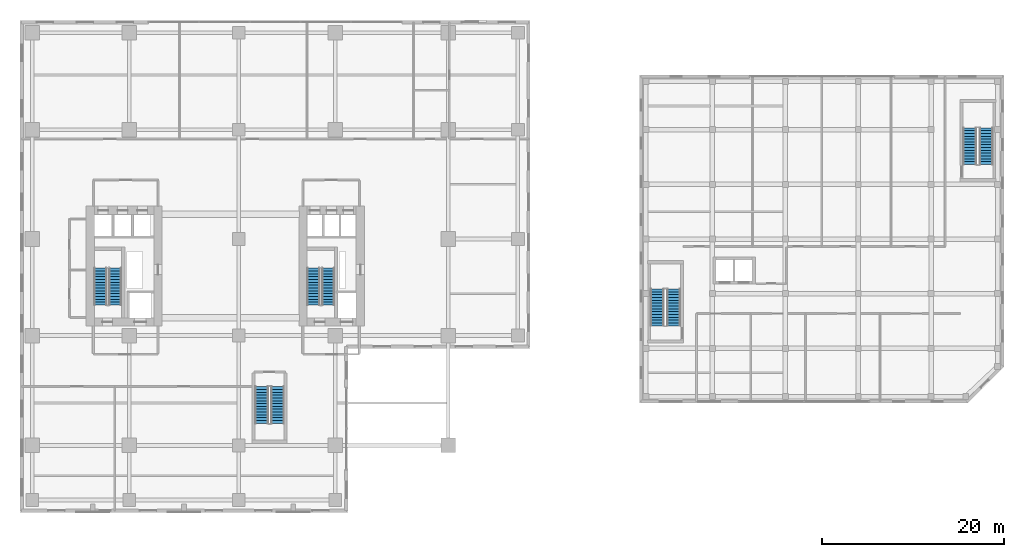
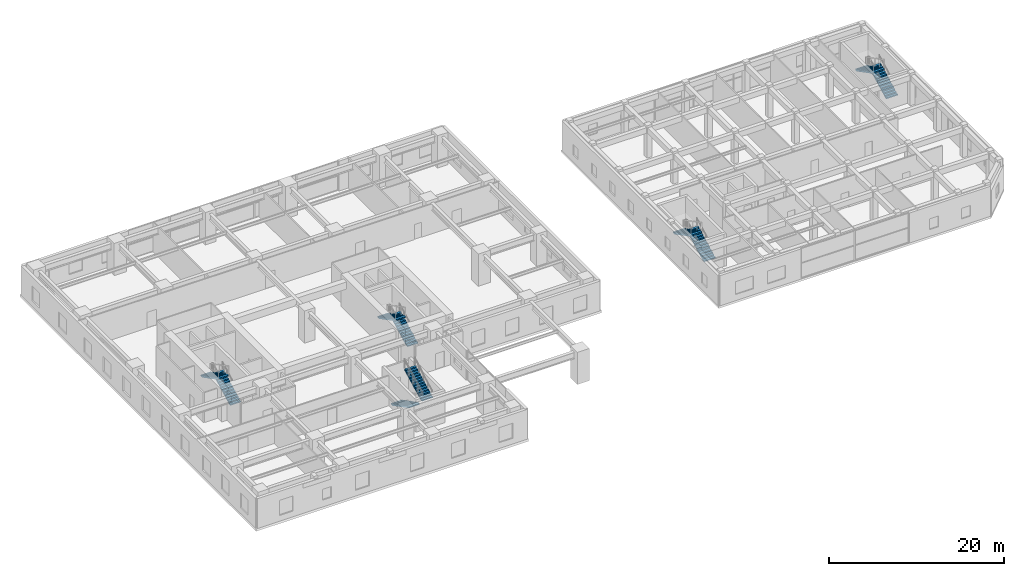
# One storey, part 23 of 26: 10 stair flights, 5 elements without a shape of their own.
"""IFC4 building model written with IfcOpenShell, lengths in metres."""

from ifc_helpers import new_model, si_unit, direction, frame, origin, place, context, subcontext, project, spatial, polyline, outline, extrude, source, transform, mapped, material, type_object, element, aggregate, save


model = new_model("IFC4")

# Units and contexts
model_context = context("Model", 3, precision=1e-05, world=origin(), true_north=direction((0.0, 1.0)))
body_context = subcontext(model_context, "Body", "Model", "MODEL_VIEW")
ifc_project = project(units=[si_unit("LENGTHUNIT", "METRE"), si_unit("AREAUNIT", "SQUARE_METRE"), si_unit("VOLUMEUNIT", "CUBIC_METRE"), si_unit("PLANEANGLEUNIT", "RADIAN"), si_unit("MASSUNIT", "GRAM", prefix="KILO")], contexts=[model_context])

# Site, building, storey
site_placement = place(None, origin())
site = spatial("IfcSite", under=ifc_project, at=site_placement, CompositionType="ELEMENT")
building_placement = place(site_placement, origin())
building = spatial("IfcBuilding", under=site, at=building_placement, Name="Khoralis Quay Care Tower", CompositionType="ELEMENT")
storey_placement = place(building_placement, frame((0.0, 0.0, 4.5)))
storey = spatial("IfcBuildingStorey", under=building, at=storey_placement, Name="L01", CompositionType="ELEMENT", Elevation=4.5)

# Stair, stair flights
ifc_material = material(Name="Precast concrete C45/55", Category="concrete")
stair_type_1 = type_object("IfcStairType", Name="ST-TWR-DOGLEG-1400", PredefinedType="HALF_TURN_STAIR", material=ifc_material)
stair_1_placement = place(storey_placement, origin())
stair_1 = element("IfcStair", 1, at=stair_1_placement, inside=storey, type_object=stair_type_1, Name="L01 West Core Exit Stair ST-T1", PredefinedType="HALF_TURN_STAIR")
stair_flight_type_1 = type_object("IfcStairFlightType", Name="SF-TWR-1400", PredefinedType="STRAIGHT", material=ifc_material)
shared_shape_1 = source(origin(), body_context, "Body", "SweptSolid", [
    extrude(outline(polyline([(0.0, 0.0), (0.0, 0.16064453125), (0.31005859375, 0.16064453125), (0.31005859375, 0.321533203125), (0.6201171875, 0.321533203125), (0.6201171875, 0.482177734375), (0.929931640625, 0.482177734375), (0.929931640625, 0.642822265625), (1.239990234375, 0.642822265625), (1.239990234375, 0.803466796875), (1.550048828125, 0.803466796875), (1.550048828125, 0.96435546875), (1.860107421875, 0.96435546875), (1.860107421875, 1.125), (2.169921875, 1.125), (2.169921875, 1.28564453125), (2.47998046875, 1.28564453125), (2.47998046875, 1.446533203125), (2.7900390625, 1.446533203125), (2.7900390625, 1.607177734375), (3.10009765625, 1.607177734375), (3.10009765625, 1.767822265625), (3.409912109375, 1.767822265625), (3.409912109375, 1.928466796875), (3.719970703125, 1.928466796875), (3.719970703125, 2.08935546875), (4.030029296875, 2.08935546875), (4.030029296875, 2.25), (4.030029296875, 1.92041015625), (0.32568359375, 0.0), (0.0, 0.0)])), frame((0.0, 0.68994140625, 0.0), z_axis=(0.0, -1.0, 0.0), x_axis=(1.0, 0.0, 0.0)), (0.0, 0.0, 1.0), 1.3798828125),
])
stair_flight_1_placement = place(storey_placement, frame((10.4599609375, 16.77001953125, 0.0), z_axis=(0.0, 0.0, 1.0), x_axis=(0.0, 1.0, 0.0)))
stair_flight_1 = element("IfcStairFlight", 2, at=stair_flight_1_placement, type_object=stair_flight_type_1, Name="ST-T1 flight 1", NumberOfRisers=14, NumberOfTreads=13, PredefinedType="STRAIGHT", RiserHeight=0.160714286, TreadLength=0.31, context=body_context, shape_type="MappedRepresentation", body=[
    mapped(shared_shape_1, transform((0.0, 0.0, 0.0), scale=1.0)),
])
stair_flight_2_placement = place(storey_placement, frame((8.840087890625, 20.800048828125, 2.25), z_axis=(0.0, 0.0, 1.0), x_axis=(0.0, -1.0, 0.0)))
stair_flight_2 = element("IfcStairFlight", 3, at=stair_flight_2_placement, type_object=stair_flight_type_1, Name="ST-T1 flight 2", NumberOfRisers=14, NumberOfTreads=13, PredefinedType="STRAIGHT", RiserHeight=0.160714286, TreadLength=0.31, context=body_context, shape_type="MappedRepresentation", body=[
    mapped(shared_shape_1, transform((0.0, 0.0, 0.0), scale=1.0)),
])
aggregate(stair_1, [stair_flight_1, stair_flight_2])

stair_2_placement = place(storey_placement, origin())
stair_2 = element("IfcStair", 4, at=stair_2_placement, inside=storey, type_object=stair_type_1, Name="L01 East Core Exit Stair ST-T2", PredefinedType="HALF_TURN_STAIR")
stair_flight_3_placement = place(storey_placement, frame((33.830078125, 16.77001953125, 0.0), z_axis=(0.0, 0.0, 1.0), x_axis=(0.0, 1.0, 0.0)))
stair_flight_3 = element("IfcStairFlight", 5, at=stair_flight_3_placement, type_object=stair_flight_type_1, Name="ST-T2 flight 1", NumberOfRisers=14, NumberOfTreads=13, PredefinedType="STRAIGHT", RiserHeight=0.160714286, TreadLength=0.31, context=body_context, shape_type="MappedRepresentation", body=[
    mapped(shared_shape_1, transform((0.0, 0.0, 0.0), scale=1.0)),
])
stair_flight_4_placement = place(storey_placement, frame((32.2099609375, 20.800048828125, 2.25), z_axis=(0.0, 0.0, 1.0), x_axis=(0.0, -1.0, 0.0)))
stair_flight_4 = element("IfcStairFlight", 6, at=stair_flight_4_placement, type_object=stair_flight_type_1, Name="ST-T2 flight 2", NumberOfRisers=14, NumberOfTreads=13, PredefinedType="STRAIGHT", RiserHeight=0.160714286, TreadLength=0.31, context=body_context, shape_type="MappedRepresentation", body=[
    mapped(shared_shape_1, transform((0.0, 0.0, 0.0), scale=1.0)),
])
aggregate(stair_2, [stair_flight_3, stair_flight_4])

stair_type_2 = type_object("IfcStairType", Name="ST-POD-DOGLEG-1500", PredefinedType="HALF_TURN_STAIR", material=ifc_material)
stair_3_placement = place(storey_placement, origin())
stair_3 = element("IfcStair", 7, at=stair_3_placement, inside=storey, type_object=stair_type_2, Name="L01 Podium Clinical Stair ST-P1", PredefinedType="HALF_TURN_STAIR")
stair_flight_type_2 = type_object("IfcStairFlightType", Name="SF-POD-1500", PredefinedType="STRAIGHT", material=ifc_material)
shared_shape_2 = source(origin(), body_context, "Body", "SweptSolid", [
    extrude(outline(polyline([(0.0, 0.0), (0.0, 0.16064453125), (0.31005859375, 0.16064453125), (0.31005859375, 0.321533203125), (0.6201171875, 0.321533203125), (0.6201171875, 0.482177734375), (0.929931640625, 0.482177734375), (0.929931640625, 0.642822265625), (1.239990234375, 0.642822265625), (1.239990234375, 0.803466796875), (1.550048828125, 0.803466796875), (1.550048828125, 0.96435546875), (1.860107421875, 0.96435546875), (1.860107421875, 1.125), (2.169921875, 1.125), (2.169921875, 1.28564453125), (2.47998046875, 1.28564453125), (2.47998046875, 1.446533203125), (2.7900390625, 1.446533203125), (2.7900390625, 1.607177734375), (3.10009765625, 1.607177734375), (3.10009765625, 1.767822265625), (3.409912109375, 1.767822265625), (3.409912109375, 1.928466796875), (3.719970703125, 1.928466796875), (3.719970703125, 2.08935546875), (4.030029296875, 2.08935546875), (4.030029296875, 2.25), (4.030029296875, 1.92041015625), (0.32568359375, 0.0), (0.0, 0.0)])), frame((0.0, 0.72509765625, 0.0), z_axis=(0.0, -1.0, 0.0), x_axis=(1.0, 0.0, 0.0)), (0.0, 0.0, 1.0), 1.449951171875),
])
stair_flight_5_placement = place(storey_placement, frame((26.52490234375, 7.800048828125, 0.0), z_axis=(0.0, 0.0, 1.0), x_axis=(0.0, -1.0, 0.0)))
stair_flight_5 = element("IfcStairFlight", 8, at=stair_flight_5_placement, type_object=stair_flight_type_2, Name="ST-P1 flight 1", NumberOfRisers=14, NumberOfTreads=13, PredefinedType="STRAIGHT", RiserHeight=0.160714286, TreadLength=0.31, context=body_context, shape_type="MappedRepresentation", body=[
    mapped(shared_shape_2, transform((0.0, 0.0, 0.0), scale=1.0)),
])
stair_flight_6_placement = place(storey_placement, frame((28.27490234375, 3.77001953125, 2.25), z_axis=(0.0, 0.0, 1.0), x_axis=(0.0, 1.0, 0.0)))
stair_flight_6 = element("IfcStairFlight", 9, at=stair_flight_6_placement, type_object=stair_flight_type_2, Name="ST-P1 flight 2", NumberOfRisers=14, NumberOfTreads=13, PredefinedType="STRAIGHT", RiserHeight=0.160714286, TreadLength=0.31, context=body_context, shape_type="MappedRepresentation", body=[
    mapped(shared_shape_2, transform((0.0, 0.0, 0.0), scale=1.0)),
])
aggregate(stair_3, [stair_flight_5, stair_flight_6])

stair_type_3 = type_object("IfcStairType", Name="ST-SCH-DOGLEG-1550", PredefinedType="HALF_TURN_STAIR", material=ifc_material)
stair_4_placement = place(storey_placement, origin())
stair_4 = element("IfcStair", 10, at=stair_4_placement, inside=storey, type_object=stair_type_3, Name="L01 Companion School West Exit Stair ST-S1", PredefinedType="HALF_TURN_STAIR")
stair_flight_type_3 = type_object("IfcStairFlightType", Name="SF-SCH-1550", PredefinedType="STRAIGHT", material=ifc_material)
shared_shape_3 = source(origin(), body_context, "Body", "SweptSolid", [
    extrude(outline(polyline([(0.0, 0.0), (0.0, 0.16064453125), (0.31005859375, 0.16064453125), (0.31005859375, 0.321533203125), (0.6201171875, 0.321533203125), (0.6201171875, 0.482177734375), (0.929931640625, 0.482177734375), (0.929931640625, 0.642822265625), (1.239990234375, 0.642822265625), (1.239990234375, 0.803466796875), (1.550048828125, 0.803466796875), (1.550048828125, 0.96435546875), (1.860107421875, 0.96435546875), (1.860107421875, 1.125), (2.169921875, 1.125), (2.169921875, 1.28564453125), (2.47998046875, 1.28564453125), (2.47998046875, 1.446533203125), (2.7900390625, 1.446533203125), (2.7900390625, 1.607177734375), (3.10009765625, 1.607177734375), (3.10009765625, 1.767822265625), (3.409912109375, 1.767822265625), (3.409912109375, 1.928466796875), (3.719970703125, 1.928466796875), (3.719970703125, 2.08935546875), (4.030029296875, 2.08935546875), (4.030029296875, 2.25), (4.030029296875, 1.92041015625), (0.32568359375, 0.0), (0.0, 0.0)])), frame((0.0, 0.75, 0.0), z_axis=(0.0, -1.0, 0.0), x_axis=(1.0, 0.0, 0.0)), (0.0, 0.0, 1.0), 1.5),
])
stair_flight_7_placement = place(storey_placement, frame((71.75, 14.47998046875, 0.0), z_axis=(0.0, 0.0, 1.0), x_axis=(0.0, 1.0, 0.0)))
stair_flight_7 = element("IfcStairFlight", 11, at=stair_flight_7_placement, type_object=stair_flight_type_3, Name="ST-S1 flight 1", NumberOfRisers=14, NumberOfTreads=13, PredefinedType="STRAIGHT", RiserHeight=0.160714286, TreadLength=0.31, context=body_context, shape_type="MappedRepresentation", body=[
    mapped(shared_shape_3, transform((0.0, 0.0, 0.0), scale=1.0)),
])
stair_flight_8_placement = place(storey_placement, frame((69.949951171875, 18.510009765625, 2.25), z_axis=(0.0, 0.0, 1.0), x_axis=(0.0, -1.0, 0.0)))
stair_flight_8 = element("IfcStairFlight", 12, at=stair_flight_8_placement, type_object=stair_flight_type_3, Name="ST-S1 flight 2", NumberOfRisers=14, NumberOfTreads=13, PredefinedType="STRAIGHT", RiserHeight=0.160714286, TreadLength=0.31, context=body_context, shape_type="MappedRepresentation", body=[
    mapped(shared_shape_3, transform((0.0, 0.0, 0.0), scale=1.0)),
])
aggregate(stair_4, [stair_flight_7, stair_flight_8])

stair_5_placement = place(storey_placement, origin())
stair_5 = element("IfcStair", 13, at=stair_5_placement, inside=storey, type_object=stair_type_3, Name="L01 Companion School East Exit Stair ST-S2", PredefinedType="HALF_TURN_STAIR")
stair_flight_9_placement = place(storey_placement, frame((106.050048828125, 32.179931640625, 0.0), z_axis=(0.0, 0.0, 1.0), x_axis=(0.0, 1.0, 0.0)))
stair_flight_9 = element("IfcStairFlight", 14, at=stair_flight_9_placement, type_object=stair_flight_type_3, Name="ST-S2 flight 1", NumberOfRisers=14, NumberOfTreads=13, PredefinedType="STRAIGHT", RiserHeight=0.160714286, TreadLength=0.31, context=body_context, shape_type="MappedRepresentation", body=[
    mapped(shared_shape_3, transform((0.0, 0.0, 0.0), scale=1.0)),
])
stair_flight_10_placement = place(storey_placement, frame((104.25, 36.2099609375, 2.25), z_axis=(0.0, 0.0, 1.0), x_axis=(0.0, -1.0, 0.0)))
stair_flight_10 = element("IfcStairFlight", 15, at=stair_flight_10_placement, type_object=stair_flight_type_3, Name="ST-S2 flight 2", NumberOfRisers=14, NumberOfTreads=13, PredefinedType="STRAIGHT", RiserHeight=0.160714286, TreadLength=0.31, context=body_context, shape_type="MappedRepresentation", body=[
    mapped(shared_shape_3, transform((0.0, 0.0, 0.0), scale=1.0)),
])
aggregate(stair_5, [stair_flight_9, stair_flight_10])

save(model, "model.ifc")
